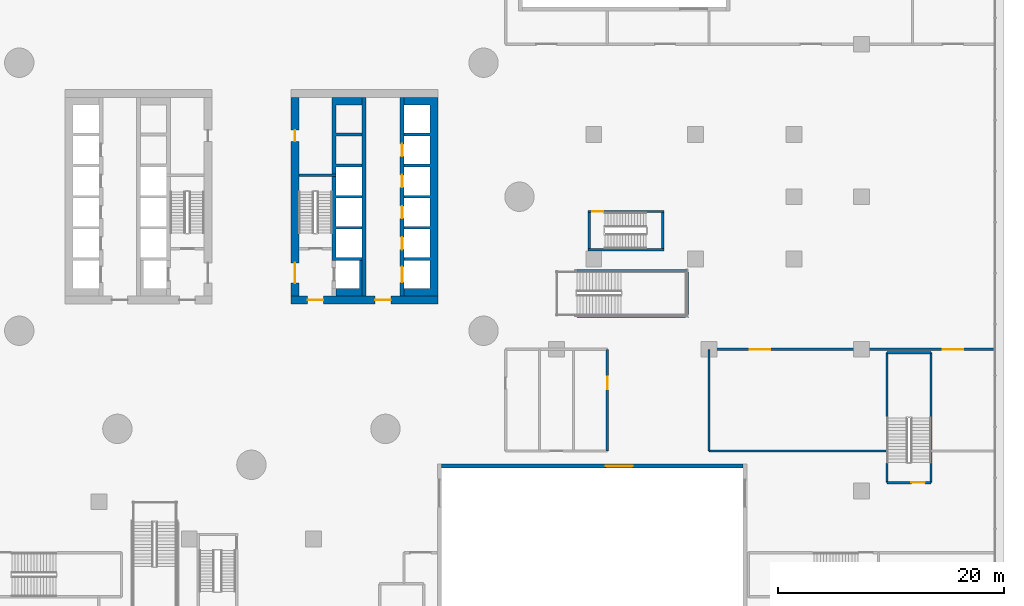
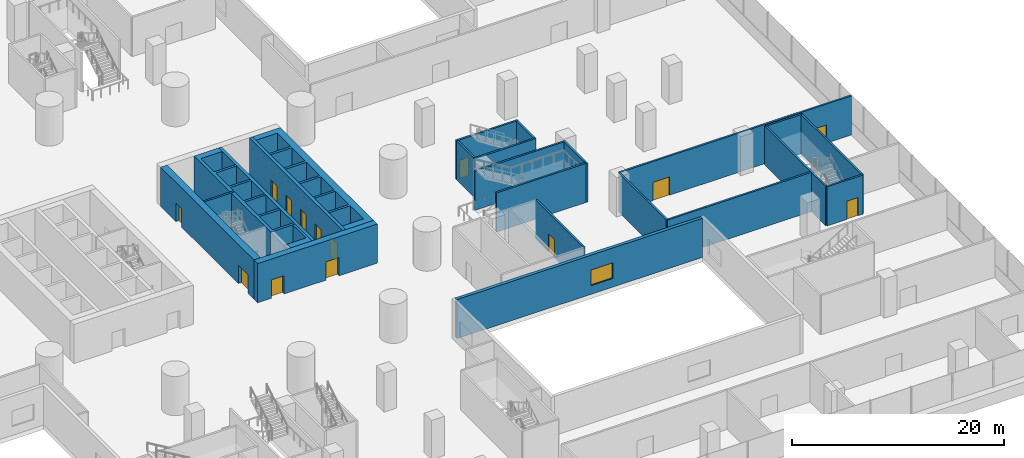
# One storey, part 27 of 44: 24 walls, 14 doors, 1 window, 15 openings.
"""IFC4 building model written with IfcOpenShell, lengths in metres."""

from ifc_helpers import new_model, si_unit, direction, frame, frame_2d, origin, place, context, subcontext, project, spatial, polyline, rectangle, outline, extrude, material, layer, layer_set, type_object, element, fill, save


model = new_model("IFC4")

# Units and contexts
model_context = context("Model", 3, precision=1e-05, world=origin(), true_north=direction((0.0, 1.0)))
body_context = subcontext(model_context, "Body", "Model", "MODEL_VIEW")
ifc_project = project(units=[si_unit("LENGTHUNIT", "METRE"), si_unit("AREAUNIT", "SQUARE_METRE"), si_unit("VOLUMEUNIT", "CUBIC_METRE"), si_unit("PLANEANGLEUNIT", "RADIAN"), si_unit("MASSUNIT", "GRAM", prefix="KILO")], contexts=[model_context])

# Site, building, storey
site_placement = place(None, origin())
site = spatial("IfcSite", under=ifc_project, at=site_placement, CompositionType="ELEMENT")
building_placement = place(site_placement, origin())
building = spatial("IfcBuilding", under=site, at=building_placement, Name="Tamarind Cross Interchange Tower", CompositionType="ELEMENT")
storey_placement = place(building_placement, frame((0.0, 0.0, 15.0)))
storey = spatial("IfcBuildingStorey", under=building, at=storey_placement, Name="L02", CompositionType="ELEMENT", Elevation=15.0)

# Wall, openings, doors
ifc_material_1 = material(Name="Concrete C80", Category="concrete")
ifc_layer_1 = layer(ifc_material_1, 0.699951171875)
ifc_layer_set_1 = layer_set([ifc_layer_1], Name="Concrete C80")
wall_type_1 = type_object("IfcWallType", Name="Core wall 700 mm Concrete C80", PredefinedType="SHEAR", material=ifc_layer_set_1)
wall_1_placement = place(storey_placement, frame((16.5, -9.14990234375, 0.0), z_axis=(0.0, 0.0, 1.0), x_axis=(-1.0, 0.0, 0.0)))
wall_1 = element("IfcWall", 1, at=wall_1_placement, inside=storey, type_object=wall_type_1, Name="Core wall CWL-L02-E-S", PredefinedType="SHEAR", context=body_context, shape_type="SweptSolid", body=[
    extrude(rectangle(XDim=13.0, YDim=0.699951171875, at=frame_2d((6.5, 0.0))), origin(), (0.0, 0.0, 1.0), 4.5),
])
opening_1_placement = place(wall_1_placement, frame((4.14990234375, 0.0, 0.0)))
opening_1 = element("IfcOpeningElement", 2, at=opening_1_placement, cuts=wall_1, Name="Opening DCE1", PredefinedType="OPENING", context=body_context, shape_type="SweptSolid", body=[
    extrude(rectangle(XDim=1.39990234375, YDim=2.10009765625, at=frame_2d((0.699951171875, 1.050048828125))), frame((0.0, 0.35986328125, 0.0), z_axis=(0.0, -1.0, 0.0), x_axis=(1.0, 0.0, 0.0)), (0.0, 0.0, 1.0), 0.719970703125),
])
opening_2_placement = place(wall_1_placement, frame((10.125, 0.0, 0.0)))
opening_2 = element("IfcOpeningElement", 3, at=opening_2_placement, cuts=wall_1, Name="Opening DCEF", PredefinedType="OPENING", context=body_context, shape_type="SweptSolid", body=[
    extrude(rectangle(XDim=1.39990234375, YDim=2.10009765625, at=frame_2d((0.699951171875, 1.050048828125))), frame((0.0, 0.35986328125, 0.0), z_axis=(0.0, -1.0, 0.0), x_axis=(1.0, 0.0, 0.0)), (0.0, 0.0, 1.0), 0.719970703125),
])
ifc_material_2 = material(Name="Steel, fire-resisting", Category="steel")
door_type_1 = type_object("IfcDoorType", Name="Core fire door 1400 x 2100 FD90", OperationType="SINGLE_SWING_LEFT", PredefinedType="DOOR", material=ifc_material_2)
door_1_placement = place(opening_1_placement, origin())
door_1 = element("IfcDoor", 4, at=door_1_placement, inside=storey, type_object=door_type_1, Name="L02 lift lobby door", OperationType="SINGLE_SWING_LEFT", OverallHeight=2.10009765625, OverallWidth=1.39990234375, PredefinedType="DOOR", context=body_context, shape_type="SweptSolid", body=[
    extrude(rectangle(XDim=1.39990234375, YDim=2.10009765625, at=frame_2d((0.699951171875, 1.050048828125))), frame((0.0, 0.02490234375, 0.0), z_axis=(0.0, -1.0, 0.0), x_axis=(1.0, 0.0, 0.0)), (0.0, 0.0, 1.0), 0.050048828125),
])
fill(opening_1, door_1)
door_2_placement = place(opening_2_placement, origin())
door_2 = element("IfcDoor", 5, at=door_2_placement, inside=storey, type_object=door_type_1, Name="L02 firefighting lobby end door", OperationType="SINGLE_SWING_LEFT", OverallHeight=2.10009765625, OverallWidth=1.39990234375, PredefinedType="DOOR", context=body_context, shape_type="SweptSolid", body=[
    extrude(rectangle(XDim=1.39990234375, YDim=2.10009765625, at=frame_2d((0.699951171875, 1.050048828125))), frame((0.0, 0.02490234375, 0.0), z_axis=(0.0, -1.0, 0.0), x_axis=(1.0, 0.0, 0.0)), (0.0, 0.0, 1.0), 0.050048828125),
])
fill(opening_2, door_2)

# Wall
wall_2_placement = place(storey_placement, origin())
element("IfcWall", 6, at=wall_2_placement, inside=storey, type_object=wall_type_1, Name="Core wall CWL-L02-E-A", PredefinedType="SHEAR", context=body_context, shape_type="SweptSolid", body=[
    extrude(outline(polyline([(13.5, -8.800048828125), (15.800048828125, -8.800048828125), (16.5, -8.800048828125), (16.5, 8.800048828125), (15.800048828125, 8.800048828125), (13.5, 8.800048828125), (13.5, 8.125), (15.800048828125, 8.125), (15.800048828125, 5.625), (13.5, 5.625), (13.5, 5.375), (15.800048828125, 5.375), (15.800048828125, 2.875), (13.5, 2.875), (13.5, 2.625), (15.800048828125, 2.625), (15.800048828125, 0.125), (13.5, 0.125), (13.5, -0.125), (15.800048828125, -0.125), (15.800048828125, -2.625), (13.5, -2.625), (13.5, -2.875), (15.800048828125, -2.875), (15.800048828125, -5.375), (13.5, -5.375), (13.5, -5.625), (15.800048828125, -5.625), (15.800048828125, -8.125), (13.5, -8.125), (13.5, -8.800048828125)])), origin(), (0.0, 0.0, 1.0), 4.5),
])

# Wall, openings, doors
wall_3_placement = place(storey_placement, frame((3.85009765625, -8.800048828125, 0.0), z_axis=(0.0, 0.0, 1.0), x_axis=(0.0, 1.0, 0.0)))
wall_3 = element("IfcWall", 7, at=wall_3_placement, inside=storey, type_object=wall_type_1, Name="Core wall CWL-L02-E-IN", PredefinedType="SHEAR", context=body_context, shape_type="SweptSolid", body=[
    extrude(rectangle(XDim=17.60009765625, YDim=0.699951171875, at=frame_2d((8.800048828125, 0.0))), origin(), (0.0, 0.0, 1.0), 4.5),
])
opening_3_placement = place(wall_3_placement, frame((1.14990234375, 0.0, 0.0)))
opening_3 = element("IfcOpeningElement", 8, at=opening_3_placement, cuts=wall_3, Name="Opening DCE4", PredefinedType="OPENING", context=body_context, shape_type="SweptSolid", body=[
    extrude(rectangle(XDim=1.800048828125, YDim=2.10009765625, at=frame_2d((0.89990234375, 1.050048828125))), frame((0.0, 0.35986328125, 0.0), z_axis=(0.0, -1.0, 0.0), x_axis=(1.0, 0.0, 0.0)), (0.0, 0.0, 1.0), 0.719970703125),
])
opening_4_placement = place(wall_3_placement, frame((13.699951171875, 0.0, 0.0)))
opening_4 = element("IfcOpeningElement", 9, at=opening_4_placement, cuts=wall_3, Name="Opening DCE5", PredefinedType="OPENING", context=body_context, shape_type="SweptSolid", body=[
    extrude(rectangle(XDim=1.0, YDim=2.10009765625, at=frame_2d((0.5, 1.050048828125))), frame((0.0, 0.35986328125, 0.0), z_axis=(0.0, -1.0, 0.0), x_axis=(1.0, 0.0, 0.0)), (0.0, 0.0, 1.0), 0.719970703125),
])
door_type_2 = type_object("IfcDoorType", Name="Core fire door 1000 x 2100 FD90", OperationType="SINGLE_SWING_LEFT", PredefinedType="DOOR", material=ifc_material_2)
door_3_placement = place(opening_4_placement, origin())
door_3 = element("IfcDoor", 10, at=door_3_placement, inside=storey, type_object=door_type_2, Name="L02 riser room door", OperationType="SINGLE_SWING_LEFT", OverallHeight=2.10009765625, OverallWidth=1.0, PredefinedType="DOOR", context=body_context, shape_type="SweptSolid", body=[
    extrude(rectangle(XDim=1.0, YDim=2.10009765625, at=frame_2d((0.5, 1.050048828125))), frame((0.0, 0.02490234375, 0.0), z_axis=(0.0, -1.0, 0.0), x_axis=(1.0, 0.0, 0.0)), (0.0, 0.0, 1.0), 0.050048828125),
])
fill(opening_4, door_3)
door_type_3 = type_object("IfcDoorType", Name="Core fire door 1800 x 2100 FD90", OperationType="SINGLE_SWING_LEFT", PredefinedType="DOOR", material=ifc_material_2)
door_4_placement = place(opening_3_placement, origin())
door_4 = element("IfcDoor", 11, at=door_4_placement, inside=storey, type_object=door_type_3, Name="L02 firefighting lobby door", OperationType="SINGLE_SWING_LEFT", OverallHeight=2.10009765625, OverallWidth=1.800048828125, PredefinedType="DOOR", context=body_context, shape_type="SweptSolid", body=[
    extrude(rectangle(XDim=1.800048828125, YDim=2.10009765625, at=frame_2d((0.89990234375, 1.050048828125))), frame((0.0, 0.02490234375, 0.0), z_axis=(0.0, -1.0, 0.0), x_axis=(1.0, 0.0, 0.0)), (0.0, 0.0, 1.0), 0.050048828125),
])
fill(opening_3, door_4)

# Walls
ifc_layer_2 = layer(ifc_material_1, 0.199951171875)
ifc_layer_set_2 = layer_set([ifc_layer_2], Name="Concrete C80")
wall_type_2 = type_object("IfcWallType", Name="Core web wall 200 mm Concrete C80", PredefinedType="SHEAR", material=ifc_layer_set_2)
wall_4_placement = place(storey_placement, frame((7.5, 1.89990234375, 0.0), z_axis=(0.0, 0.0, 1.0), x_axis=(-1.0, 0.0, 0.0)))
element("IfcWall", 12, at=wall_4_placement, inside=storey, type_object=wall_type_2, Name="Core wall CWL-L02-E-BD", PredefinedType="SHEAR", context=body_context, shape_type="SweptSolid", body=[
    extrude(rectangle(XDim=3.300048828125, YDim=0.199951171875, at=frame_2d((1.64990234375, 0.0))), origin(), (0.0, 0.0, 1.0), 4.5),
])
ifc_layer_3 = layer(ifc_material_1, 0.35009765625)
ifc_layer_set_3 = layer_set([ifc_layer_3], Name="Concrete C80")
wall_type_3 = type_object("IfcWallType", Name="Core web wall 350 mm Concrete C80", PredefinedType="SHEAR", material=ifc_layer_set_3)
wall_5_placement = place(storey_placement, origin())
element("IfcWall", 13, at=wall_5_placement, inside=storey, type_object=wall_type_3, Name="Core wall CWL-L02-E-BN", PredefinedType="SHEAR", context=body_context, shape_type="SweptSolid", body=[
    extrude(outline(polyline([(9.800048828125, -5.375), (7.5, -5.375), (7.5, -2.875), (9.800048828125, -2.875), (9.800048828125, -2.625), (7.5, -2.625), (7.5, -0.125), (9.800048828125, -0.125), (9.800048828125, 0.125), (7.5, 0.125), (7.5, 2.625), (9.800048828125, 2.625), (9.800048828125, 2.875), (7.5, 2.875), (7.5, 5.375), (9.800048828125, 5.375), (9.800048828125, 5.625), (7.5, 5.625), (7.5, 8.125), (9.800048828125, 8.125), (9.800048828125, 8.800048828125), (7.5, 8.800048828125), (7.14990234375, 8.800048828125), (7.14990234375, -5.625), (7.5, -5.625), (9.800048828125, -5.625), (9.800048828125, -5.375)])), origin(), (0.0, 0.0, 1.0), 4.5),
])
wall_6_placement = place(storey_placement, origin())
element("IfcWall", 14, at=wall_6_placement, inside=storey, type_object=wall_type_3, Name="Core wall CWL-L02-E-BS", PredefinedType="SHEAR", context=body_context, shape_type="SweptSolid", body=[
    extrude(outline(polyline([(7.5, -8.125), (7.5, -8.800048828125), (9.800048828125, -8.800048828125), (9.800048828125, -8.125), (9.800048828125, -5.625), (9.550048828125, -5.625), (9.550048828125, -8.125), (7.5, -8.125)])), origin(), (0.0, 0.0, 1.0), 4.5),
])

# Wall, openings, doors
wall_7_placement = place(storey_placement, frame((13.324951171875, -8.800048828125, 0.0), z_axis=(0.0, 0.0, 1.0), x_axis=(0.0, 1.0, 0.0)))
wall_7 = element("IfcWall", 15, at=wall_7_placement, inside=storey, type_object=wall_type_3, Name="Core wall CWL-L02-E-LA", PredefinedType="SHEAR", context=body_context, shape_type="SweptSolid", body=[
    extrude(rectangle(XDim=17.60009765625, YDim=0.35009765625, at=frame_2d((8.800048828125, 0.0))), origin(), (0.0, 0.0, 1.0), 4.5),
])
opening_5_placement = place(wall_7_placement, frame((1.22509765625, 0.0, 0.0)))
opening_5 = element("IfcOpeningElement", 16, at=opening_5_placement, cuts=wall_7, Name="Opening LD13L02", PredefinedType="OPENING", context=body_context, shape_type="SweptSolid", body=[
    extrude(rectangle(XDim=1.39990234375, YDim=2.10009765625, at=frame_2d((0.699951171875, 1.050048828125))), frame((0.0, 0.18505859375, 0.0), z_axis=(0.0, -1.0, 0.0), x_axis=(1.0, 0.0, 0.0)), (0.0, 0.0, 1.0), 0.3701171875),
])
opening_6_placement = place(wall_7_placement, frame((4.125, 0.0, 0.0)))
opening_6 = element("IfcOpeningElement", 17, at=opening_6_placement, cuts=wall_7, Name="Opening LD14L02", PredefinedType="OPENING", context=body_context, shape_type="SweptSolid", body=[
    extrude(rectangle(XDim=1.10009765625, YDim=2.10009765625, at=frame_2d((0.550048828125, 1.050048828125))), frame((0.0, 0.18505859375, 0.0), z_axis=(0.0, -1.0, 0.0), x_axis=(1.0, 0.0, 0.0)), (0.0, 0.0, 1.0), 0.3701171875),
])
opening_7_placement = place(wall_7_placement, frame((6.875, 0.0, 0.0)))
opening_7 = element("IfcOpeningElement", 18, at=opening_7_placement, cuts=wall_7, Name="Opening LD15L02", PredefinedType="OPENING", context=body_context, shape_type="SweptSolid", body=[
    extrude(rectangle(XDim=1.10009765625, YDim=2.10009765625, at=frame_2d((0.550048828125, 1.050048828125))), frame((0.0, 0.18505859375, 0.0), z_axis=(0.0, -1.0, 0.0), x_axis=(1.0, 0.0, 0.0)), (0.0, 0.0, 1.0), 0.3701171875),
])
opening_8_placement = place(wall_7_placement, frame((9.625, 0.0, 0.0)))
opening_8 = element("IfcOpeningElement", 19, at=opening_8_placement, cuts=wall_7, Name="Opening LD16L02", PredefinedType="OPENING", context=body_context, shape_type="SweptSolid", body=[
    extrude(rectangle(XDim=1.10009765625, YDim=2.10009765625, at=frame_2d((0.550048828125, 1.050048828125))), frame((0.0, 0.18505859375, 0.0), z_axis=(0.0, -1.0, 0.0), x_axis=(1.0, 0.0, 0.0)), (0.0, 0.0, 1.0), 0.3701171875),
])
opening_9_placement = place(wall_7_placement, frame((12.375, 0.0, 0.0)))
opening_9 = element("IfcOpeningElement", 20, at=opening_9_placement, cuts=wall_7, Name="Opening LD17L02", PredefinedType="OPENING", context=body_context, shape_type="SweptSolid", body=[
    extrude(rectangle(XDim=1.10009765625, YDim=2.10009765625, at=frame_2d((0.550048828125, 1.050048828125))), frame((0.0, 0.18505859375, 0.0), z_axis=(0.0, -1.0, 0.0), x_axis=(1.0, 0.0, 0.0)), (0.0, 0.0, 1.0), 0.3701171875),
])
ifc_material_3 = material(Name="Stainless steel panel", Category="steel")
door_type_4 = type_object("IfcDoorType", Name="Lift landing door 1100 x 2100 E 120", OperationType="SLIDING_TO_LEFT", PredefinedType="DOOR", material=ifc_material_3)
door_5_placement = place(opening_6_placement, origin())
door_5 = element("IfcDoor", 21, at=door_5_placement, inside=storey, type_object=door_type_4, Name="L02 landing door LF14", OperationType="SLIDING_TO_LEFT", OverallHeight=2.10009765625, OverallWidth=1.10009765625, PredefinedType="DOOR", context=body_context, shape_type="SweptSolid", body=[
    extrude(rectangle(XDim=1.10009765625, YDim=2.10009765625, at=frame_2d((0.550048828125, 1.050048828125))), frame((0.0, 0.02490234375, 0.0), z_axis=(0.0, -1.0, 0.0), x_axis=(1.0, 0.0, 0.0)), (0.0, 0.0, 1.0), 0.050048828125),
])
fill(opening_6, door_5)
door_6_placement = place(opening_7_placement, origin())
door_6 = element("IfcDoor", 22, at=door_6_placement, inside=storey, type_object=door_type_4, Name="L02 landing door LF15", OperationType="SLIDING_TO_LEFT", OverallHeight=2.10009765625, OverallWidth=1.10009765625, PredefinedType="DOOR", context=body_context, shape_type="SweptSolid", body=[
    extrude(rectangle(XDim=1.10009765625, YDim=2.10009765625, at=frame_2d((0.550048828125, 1.050048828125))), frame((0.0, 0.02490234375, 0.0), z_axis=(0.0, -1.0, 0.0), x_axis=(1.0, 0.0, 0.0)), (0.0, 0.0, 1.0), 0.050048828125),
])
fill(opening_7, door_6)
door_7_placement = place(opening_8_placement, origin())
door_7 = element("IfcDoor", 23, at=door_7_placement, inside=storey, type_object=door_type_4, Name="L02 landing door LF16", OperationType="SLIDING_TO_LEFT", OverallHeight=2.10009765625, OverallWidth=1.10009765625, PredefinedType="DOOR", context=body_context, shape_type="SweptSolid", body=[
    extrude(rectangle(XDim=1.10009765625, YDim=2.10009765625, at=frame_2d((0.550048828125, 1.050048828125))), frame((0.0, 0.02490234375, 0.0), z_axis=(0.0, -1.0, 0.0), x_axis=(1.0, 0.0, 0.0)), (0.0, 0.0, 1.0), 0.050048828125),
])
fill(opening_8, door_7)
door_8_placement = place(opening_9_placement, origin())
door_8 = element("IfcDoor", 24, at=door_8_placement, inside=storey, type_object=door_type_4, Name="L02 landing door LF17", OperationType="SLIDING_TO_LEFT", OverallHeight=2.10009765625, OverallWidth=1.10009765625, PredefinedType="DOOR", context=body_context, shape_type="SweptSolid", body=[
    extrude(rectangle(XDim=1.10009765625, YDim=2.10009765625, at=frame_2d((0.550048828125, 1.050048828125))), frame((0.0, 0.02490234375, 0.0), z_axis=(0.0, -1.0, 0.0), x_axis=(1.0, 0.0, 0.0)), (0.0, 0.0, 1.0), 0.050048828125),
])
fill(opening_9, door_8)
door_type_5 = type_object("IfcDoorType", Name="Lift landing door 1400 x 2100 E 120", OperationType="SLIDING_TO_LEFT", PredefinedType="DOOR", material=ifc_material_3)
door_9_placement = place(opening_5_placement, origin())
door_9 = element("IfcDoor", 25, at=door_9_placement, inside=storey, type_object=door_type_5, Name="L02 landing door LF13", OperationType="SLIDING_TO_LEFT", OverallHeight=2.10009765625, OverallWidth=1.39990234375, PredefinedType="DOOR", context=body_context, shape_type="SweptSolid", body=[
    extrude(rectangle(XDim=1.39990234375, YDim=2.10009765625, at=frame_2d((0.699951171875, 1.050048828125))), frame((0.0, 0.02490234375, 0.0), z_axis=(0.0, -1.0, 0.0), x_axis=(1.0, 0.0, 0.0)), (0.0, 0.0, 1.0), 0.050048828125),
])
fill(opening_5, door_9)

# Walls
wall_8_placement = place(storey_placement, frame((9.97509765625, -8.800048828125, 0.0), z_axis=(0.0, 0.0, 1.0), x_axis=(0.0, 1.0, 0.0)))
element("IfcWall", 26, at=wall_8_placement, inside=storey, type_object=wall_type_3, Name="Core wall CWL-L02-E-LB", PredefinedType="SHEAR", context=body_context, shape_type="SweptSolid", body=[
    extrude(rectangle(XDim=17.60009765625, YDim=0.35009765625, at=frame_2d((8.800048828125, 0.0))), origin(), (0.0, 0.0, 1.0), 4.5),
])
ifc_material_4 = material(Name="Masonry partition, fire-rated", Category="masonry")
ifc_layer_4 = layer(ifc_material_4, 0.199951171875)
ifc_layer_set_4 = layer_set([ifc_layer_4], Name="Masonry partition, fire-rated")
wall_type_4 = type_object("IfcWallType", Name="Fire partition 200 EI 120", PredefinedType="PARTITIONING", material=ifc_layer_set_4)
wall_9_placement = place(storey_placement, frame((40.5, -22.5, 0.0), z_axis=(0.0, 0.0, 1.0), x_axis=(1.0, 0.0, 0.0)))
element("IfcWall", 27, at=wall_9_placement, inside=storey, type_object=wall_type_4, Name="L02 partition 113", PredefinedType="PARTITIONING", context=body_context, shape_type="SweptSolid", body=[
    extrude(rectangle(XDim=15.719970703125, YDim=0.199951171875, at=frame_2d((7.85986328125, 0.0))), origin(), (0.0, 0.0, 1.0), 4.5),
])
wall_10_placement = place(storey_placement, frame((40.5, -22.5, 0.0), z_axis=(0.0, 0.0, 1.0), x_axis=(0.0, 1.0, 0.0)))
element("IfcWall", 28, at=wall_10_placement, inside=storey, type_object=wall_type_4, Name="L02 partition 114", PredefinedType="PARTITIONING", context=body_context, shape_type="SweptSolid", body=[
    extrude(rectangle(XDim=9.0, YDim=0.199951171875, at=frame_2d((4.5, 0.0))), origin(), (0.0, 0.0, 1.0), 4.5),
])

# Wall, openings, doors
wall_11_placement = place(storey_placement, frame((40.5, -13.5, 0.0), z_axis=(0.0, 0.0, 1.0), x_axis=(1.0, 0.0, 0.0)))
wall_11 = element("IfcWall", 29, at=wall_11_placement, inside=storey, type_object=wall_type_4, Name="L02 partition 115", PredefinedType="PARTITIONING", context=body_context, shape_type="SweptSolid", body=[
    extrude(rectangle(XDim=25.198974609375, YDim=0.199951171875, at=frame_2d((12.599609375, 0.0))), origin(), (0.0, 0.0, 1.0), 4.5),
])
opening_10_placement = place(wall_11_placement, frame((3.60009765625, 0.0, 0.0)))
opening_10 = element("IfcOpeningElement", 30, at=opening_10_placement, cuts=wall_11, Name="Opening DL02-43", PredefinedType="OPENING", context=body_context, shape_type="SweptSolid", body=[
    extrude(rectangle(XDim=1.800048828125, YDim=2.10009765625, at=frame_2d((0.89990234375, 1.050048828125))), frame((0.0, 0.10986328125, 0.0), z_axis=(0.0, -1.0, 0.0), x_axis=(1.0, 0.0, 0.0)), (0.0, 0.0, 1.0), 0.219970703125),
])
opening_11_placement = place(wall_11_placement, frame((20.699951171875, 0.0, 0.0)))
opening_11 = element("IfcOpeningElement", 31, at=opening_11_placement, cuts=wall_11, Name="Opening DL02-44", PredefinedType="OPENING", context=body_context, shape_type="SweptSolid", body=[
    extrude(rectangle(XDim=1.800048828125, YDim=2.10009765625, at=frame_2d((0.89990234375, 1.050048828125))), frame((0.0, 0.10986328125, 0.0), z_axis=(0.0, -1.0, 0.0), x_axis=(1.0, 0.0, 0.0)), (0.0, 0.0, 1.0), 0.219970703125),
])
door_type_6 = type_object("IfcDoorType", Name="Podium door 1800 x 2100 FD60", OperationType="SINGLE_SWING_LEFT", PredefinedType="DOOR", material=ifc_material_2)
door_10_placement = place(opening_10_placement, origin())
door_10 = element("IfcDoor", 32, at=door_10_placement, inside=storey, type_object=door_type_6, Name="L02 door Juice Bar 0225", OperationType="SINGLE_SWING_LEFT", OverallHeight=2.10009765625, OverallWidth=1.800048828125, PredefinedType="DOOR", context=body_context, shape_type="SweptSolid", body=[
    extrude(rectangle(XDim=1.800048828125, YDim=2.10009765625, at=frame_2d((0.89990234375, 1.050048828125))), frame((0.0, 0.02490234375, 0.0), z_axis=(0.0, -1.0, 0.0), x_axis=(1.0, 0.0, 0.0)), (0.0, 0.0, 1.0), 0.050048828125),
])
fill(opening_10, door_10)
door_11_placement = place(opening_11_placement, origin())
door_11 = element("IfcDoor", 33, at=door_11_placement, inside=storey, type_object=door_type_6, Name="L02 door Restaurant 0226", OperationType="SINGLE_SWING_RIGHT", OverallHeight=2.10009765625, OverallWidth=1.800048828125, PredefinedType="DOOR", context=body_context, shape_type="SweptSolid", body=[
    extrude(rectangle(XDim=1.800048828125, YDim=2.10009765625, at=frame_2d((0.89990234375, 1.050048828125))), frame((0.0, 0.02490234375, 0.0), z_axis=(0.0, -1.0, 0.0), x_axis=(1.0, 0.0, 0.0)), (0.0, 0.0, 1.0), 0.050048828125),
])
fill(opening_11, door_11)

# Wall, opening, door
ifc_layer_5 = layer(ifc_material_4, 0.199951171875)
ifc_layer_set_5 = layer_set([ifc_layer_5], Name="Masonry partition, fire-rated")
wall_type_5 = type_object("IfcWallType", Name="Fire partition 200 EI 90", PredefinedType="PARTITIONING", material=ifc_layer_set_5)
wall_12_placement = place(storey_placement, frame((31.5, -22.5, 0.0), z_axis=(0.0, 0.0, 1.0), x_axis=(0.0, 1.0, 0.0)))
wall_12 = element("IfcWall", 34, at=wall_12_placement, inside=storey, type_object=wall_type_5, Name="L02 partition 102", PredefinedType="PARTITIONING", context=body_context, shape_type="SweptSolid", body=[
    extrude(rectangle(XDim=9.0, YDim=0.199951171875, at=frame_2d((4.5, 0.0))), origin(), (0.0, 0.0, 1.0), 4.5),
])
opening_12_placement = place(wall_12_placement, frame((5.4599609375, 0.0, 0.0)))
opening_12 = element("IfcOpeningElement", 35, at=opening_12_placement, cuts=wall_12, Name="Opening DL02-42", PredefinedType="OPENING", context=body_context, shape_type="SweptSolid", body=[
    extrude(rectangle(XDim=1.10009765625, YDim=2.10009765625, at=frame_2d((0.550048828125, 1.050048828125))), frame((0.0, 0.10986328125, 0.0), z_axis=(0.0, -1.0, 0.0), x_axis=(1.0, 0.0, 0.0)), (0.0, 0.0, 1.0), 0.219970703125),
])
door_type_7 = type_object("IfcDoorType", Name="Podium door 1100 x 2100 FD60", OperationType="SINGLE_SWING_LEFT", PredefinedType="DOOR", material=ifc_material_2)
door_12_placement = place(opening_12_placement, origin())
door_12 = element("IfcDoor", 36, at=door_12_placement, inside=storey, type_object=door_type_7, Name="L02 door Accessible Toilet L02SE", OperationType="SINGLE_SWING_RIGHT", OverallHeight=2.10009765625, OverallWidth=1.10009765625, PredefinedType="DOOR", context=body_context, shape_type="SweptSolid", body=[
    extrude(rectangle(XDim=1.10009765625, YDim=2.10009765625, at=frame_2d((0.550048828125, 1.050048828125))), frame((0.0, 0.02490234375, 0.0), z_axis=(0.0, -1.0, 0.0), x_axis=(1.0, 0.0, 0.0)), (0.0, 0.0, 1.0), 0.050048828125),
])
fill(opening_12, door_12)

# Wall, opening, window
ifc_material_5 = material(Name="Precast concrete C40", Category="concrete")
ifc_layer_6 = layer(ifc_material_5, 0.35009765625)
ifc_layer_set_6 = layer_set([ifc_layer_6], Name="Precast concrete C40")
wall_type_6 = type_object("IfcWallType", Name="Podium facade wall", PredefinedType="SOLIDWALL", material=ifc_layer_set_6)
wall_13_placement = place(storey_placement, frame((16.800048828125, -23.824951171875, 0.0), z_axis=(0.0, 0.0, 1.0), x_axis=(1.0, 0.0, 0.0)))
wall_13 = element("IfcWall", 37, at=wall_13_placement, inside=storey, type_object=wall_type_6, Name="CTW-L02-SEN00", PredefinedType="SOLIDWALL", context=body_context, shape_type="SweptSolid", body=[
    extrude(rectangle(XDim=26.699951171875, YDim=0.35009765625, at=frame_2d((13.35009765625, 0.0))), origin(), (0.0, 0.0, 1.0), 4.5),
])
opening_13_placement = place(wall_13_placement, frame((14.550048828125, 0.0, 1.0)))
opening_13 = element("IfcOpeningElement", 38, at=opening_13_placement, cuts=wall_13, Name="Opening W4", PredefinedType="OPENING", context=body_context, shape_type="SweptSolid", body=[
    extrude(rectangle(XDim=2.39990234375, YDim=1.800048828125, at=frame_2d((1.199951171875, 0.89990234375))), frame((0.0, 0.18505859375, 0.0), z_axis=(0.0, -1.0, 0.0), x_axis=(1.0, 0.0, 0.0)), (0.0, 0.0, 1.0), 0.3701171875),
])
ifc_material_6 = material(Name="Aluminium and toughened glass", Category="aluminium")
window_type = type_object("IfcWindowType", Name="Podium daylight window", PartitioningType="SINGLE_PANEL", PredefinedType="WINDOW", material=ifc_material_6)
window_placement = place(opening_13_placement, origin())
window = element("IfcWindow", 39, at=window_placement, inside=storey, type_object=window_type, Name="CTX-L02-SEN-01-00", OverallHeight=1.800048828125, OverallWidth=2.39990234375, PartitioningType="SINGLE_PANEL", PredefinedType="WINDOW", context=body_context, shape_type="SweptSolid", body=[
    extrude(rectangle(XDim=2.39990234375, YDim=1.800048828125, at=frame_2d((1.199951171875, 0.89990234375))), frame((0.0, 0.030029296875, 0.0), z_axis=(0.0, -1.0, 0.0), x_axis=(1.0, 0.0, 0.0)), (0.0, 0.0, 1.0), 0.06005859375),
])
fill(opening_13, window)

# Walls
ifc_material_7 = material(Name="Concrete C40", Category="concrete")
ifc_layer_7 = layer(ifc_material_7, 0.199951171875)
ifc_layer_set_7 = layer_set([ifc_layer_7], Name="Concrete C40")
wall_type_7 = type_object("IfcWallType", Name="Stair shaft wall 200", PredefinedType="SOLIDWALL", material=ifc_layer_set_7)
for number, where, z_axis, x_axis, name in (
    (40, (28.800048828125, -10.60009765625, 0.0), (0.0, 0.0, 1.0), (1.0, 0.0, 0.0), "public stair PS-E shaft wall L"),
    (41, (28.800048828125, -6.5, 0.0), (0.0, 0.0, 1.0), (1.0, 0.0, 0.0), "public stair PS-E shaft wall R"),
):
    element("IfcWall", number, at=place(storey_placement, frame(where, z_axis=z_axis, x_axis=x_axis)), inside=storey, type_object=wall_type_7, Name=name, PredefinedType="SOLIDWALL", context=body_context, shape_type="SweptSolid", body=[
        extrude(rectangle(XDim=9.699951171875, YDim=0.199951171875, at=frame_2d((4.85009765625, 0.0))), origin(), (0.0, 0.0, 1.0), 4.5),
    ])
wall_14_placement = place(storey_placement, frame((38.60009765625, -10.699951171875, 0.0), z_axis=(0.0, 0.0, 1.0), x_axis=(0.0, 1.0, 0.0)))
element("IfcWall", 42, at=wall_14_placement, inside=storey, type_object=wall_type_7, Name="public stair PS-E shaft wall F", PredefinedType="SOLIDWALL", context=body_context, shape_type="SweptSolid", body=[
    extrude(rectangle(XDim=4.300048828125, YDim=0.199951171875, at=frame_2d((2.14990234375, 0.0))), origin(), (0.0, 0.0, 1.0), 4.5),
])
ifc_layer_8 = layer(ifc_material_7, 0.199951171875)
ifc_layer_set_8 = layer_set([ifc_layer_8], Name="Concrete C40")
wall_type_8 = type_object("IfcWallType", Name="Stair shaft wall 200 EI 180", PredefinedType="PARTITIONING", material=ifc_layer_set_8)
wall_15_placement = place(storey_placement, frame((56.25, -25.300048828125, 0.0), z_axis=(0.0, 0.0, 1.0), x_axis=(0.0, 1.0, 0.0)))
element("IfcWall", 43, at=wall_15_placement, inside=storey, type_object=wall_type_8, Name="L02 stair shaft wall 37", PredefinedType="PARTITIONING", context=body_context, shape_type="SweptSolid", body=[
    extrude(rectangle(XDim=11.5, YDim=0.199951171875, at=frame_2d((5.75, 0.0))), origin(), (0.0, 0.0, 1.0), 4.5),
])
wall_16_placement = place(storey_placement, frame((56.25, -13.800048828125, 0.0), z_axis=(0.0, 0.0, 1.0), x_axis=(1.0, 0.0, 0.0)))
element("IfcWall", 44, at=wall_16_placement, inside=storey, type_object=wall_type_8, Name="L02 stair shaft wall 38", PredefinedType="PARTITIONING", context=body_context, shape_type="SweptSolid", body=[
    extrude(rectangle(XDim=3.89990234375, YDim=0.199951171875, at=frame_2d((1.949951171875, 0.0))), origin(), (0.0, 0.0, 1.0), 4.5),
])
wall_17_placement = place(storey_placement, frame((60.14990234375, -25.300048828125, 0.0), z_axis=(0.0, 0.0, 1.0), x_axis=(0.0, 1.0, 0.0)))
element("IfcWall", 45, at=wall_17_placement, inside=storey, type_object=wall_type_8, Name="L02 stair shaft wall 39", PredefinedType="PARTITIONING", context=body_context, shape_type="SweptSolid", body=[
    extrude(rectangle(XDim=11.5, YDim=0.199951171875, at=frame_2d((5.75, 0.0))), origin(), (0.0, 0.0, 1.0), 4.5),
])

# Wall, opening, door
wall_18_placement = place(storey_placement, frame((56.25, -25.300048828125, 0.0), z_axis=(0.0, 0.0, 1.0), x_axis=(1.0, 0.0, 0.0)))
wall_18 = element("IfcWall", 46, at=wall_18_placement, inside=storey, type_object=wall_type_8, Name="L02 stair shaft wall 40", PredefinedType="PARTITIONING", context=body_context, shape_type="SweptSolid", body=[
    extrude(rectangle(XDim=3.89990234375, YDim=0.199951171875, at=frame_2d((1.949951171875, 0.0))), origin(), (0.0, 0.0, 1.0), 4.5),
])
opening_14_placement = place(wall_18_placement, frame((2.14990234375, 0.0, 0.0)))
opening_14 = element("IfcOpeningElement", 47, at=opening_14_placement, cuts=wall_18, Name="Opening DL02-11", PredefinedType="OPENING", context=body_context, shape_type="SweptSolid", body=[
    extrude(rectangle(XDim=1.199951171875, YDim=2.10009765625, at=frame_2d((0.60009765625, 1.050048828125))), frame((0.0, 0.10986328125, 0.0), z_axis=(0.0, -1.0, 0.0), x_axis=(1.0, 0.0, 0.0)), (0.0, 0.0, 1.0), 0.219970703125),
])
door_type_8 = type_object("IfcDoorType", Name="Podium door 1200 x 2100 FD90", OperationType="SINGLE_SWING_LEFT", PredefinedType="DOOR", material=ifc_material_2)
door_13_placement = place(opening_14_placement, origin())
door_13 = element("IfcDoor", 48, at=door_13_placement, inside=storey, type_object=door_type_8, Name="L02 door Exit Stair PX11", OperationType="SINGLE_SWING_LEFT", OverallHeight=2.10009765625, OverallWidth=1.199951171875, PredefinedType="DOOR", context=body_context, shape_type="SweptSolid", body=[
    extrude(rectangle(XDim=1.199951171875, YDim=2.10009765625, at=frame_2d((0.60009765625, 1.050048828125))), frame((0.0, 0.02490234375, 0.0), z_axis=(0.0, -1.0, 0.0), x_axis=(1.0, 0.0, 0.0)), (0.0, 0.0, 1.0), 0.050048828125),
])
fill(opening_14, door_13)

ifc_layer_9 = layer(ifc_material_7, 0.199951171875)
ifc_layer_set_9 = layer_set([ifc_layer_9], Name="Concrete C40")
wall_type_9 = type_object("IfcWallType", Name="Stair shaft wall 200 mm Concrete C40", PredefinedType="SHEAR", material=ifc_layer_set_9)
wall_19_placement = place(storey_placement, frame((29.800048828125, -1.300048828125, 0.0), z_axis=(0.0, 0.0, 1.0), x_axis=(1.0, 0.0, 0.0)))
wall_19 = element("IfcWall", 49, at=wall_19_placement, inside=storey, type_object=wall_type_9, Name="Core wall CWL-L02-ST3-H", PredefinedType="SHEAR", context=body_context, shape_type="SweptSolid", body=[
    extrude(rectangle(XDim=6.699951171875, YDim=0.199951171875, at=frame_2d((3.35009765625, 0.0))), origin(), (0.0, 0.0, 1.0), 4.5),
])
opening_15_placement = place(wall_19_placement, frame((0.35009765625, 0.0, 0.0)))
opening_15 = element("IfcOpeningElement", 50, at=opening_15_placement, cuts=wall_19, Name="Opening ST3L02", PredefinedType="OPENING", context=body_context, shape_type="SweptSolid", body=[
    extrude(rectangle(XDim=1.0, YDim=2.10009765625, at=frame_2d((0.5, 1.050048828125))), frame((0.0, 0.10986328125, 0.0), z_axis=(0.0, -1.0, 0.0), x_axis=(1.0, 0.0, 0.0)), (0.0, 0.0, 1.0), 0.219970703125),
])
door_14_placement = place(opening_15_placement, origin())
door_14 = element("IfcDoor", 51, at=door_14_placement, inside=storey, type_object=door_type_2, Name="L02 stair door ST3", OperationType="SINGLE_SWING_LEFT", OverallHeight=2.10009765625, OverallWidth=1.0, PredefinedType="DOOR", context=body_context, shape_type="SweptSolid", body=[
    extrude(rectangle(XDim=1.0, YDim=2.10009765625, at=frame_2d((0.5, 1.050048828125))), frame((0.0, 0.02490234375, 0.0), z_axis=(0.0, -1.0, 0.0), x_axis=(1.0, 0.0, 0.0)), (0.0, 0.0, 1.0), 0.050048828125),
])
fill(opening_15, door_14)

# Walls
wall_20_placement = place(storey_placement, frame((29.800048828125, -4.699951171875, 0.0), z_axis=(0.0, 0.0, 1.0), x_axis=(1.0, 0.0, 0.0)))
element("IfcWall", 52, at=wall_20_placement, inside=storey, type_object=wall_type_9, Name="Core wall CWL-L02-ST3-C", PredefinedType="SHEAR", context=body_context, shape_type="SweptSolid", body=[
    extrude(rectangle(XDim=6.699951171875, YDim=0.199951171875, at=frame_2d((3.35009765625, 0.0))), origin(), (0.0, 0.0, 1.0), 4.5),
])
wall_21_placement = place(storey_placement, frame((29.89990234375, -4.60009765625, 0.0), z_axis=(0.0, 0.0, 1.0), x_axis=(0.0, 1.0, 0.0)))
element("IfcWall", 53, at=wall_21_placement, inside=storey, type_object=wall_type_9, Name="Core wall CWL-L02-ST3-CE", PredefinedType="SHEAR", context=body_context, shape_type="SweptSolid", body=[
    extrude(rectangle(XDim=3.2001953125, YDim=0.199951171875, at=frame_2d((1.60009765625, 0.0))), origin(), (0.0, 0.0, 1.0), 4.5),
])
wall_22_placement = place(storey_placement, origin())
element("IfcWall", 54, at=wall_22_placement, inside=storey, type_object=wall_type_9, Name="Core wall CWL-L02-ST3-CF", PredefinedType="SHEAR", context=body_context, shape_type="SweptSolid", body=[
    extrude(outline(polyline([(36.300048828125, -4.60009765625), (36.5, -4.60009765625), (36.5, -1.39990234375), (36.300048828125, -1.39990234375), (36.300048828125, -4.60009765625)])), origin(), (0.0, 0.0, 1.0), 4.5),
])

save(model, "model.ifc")
